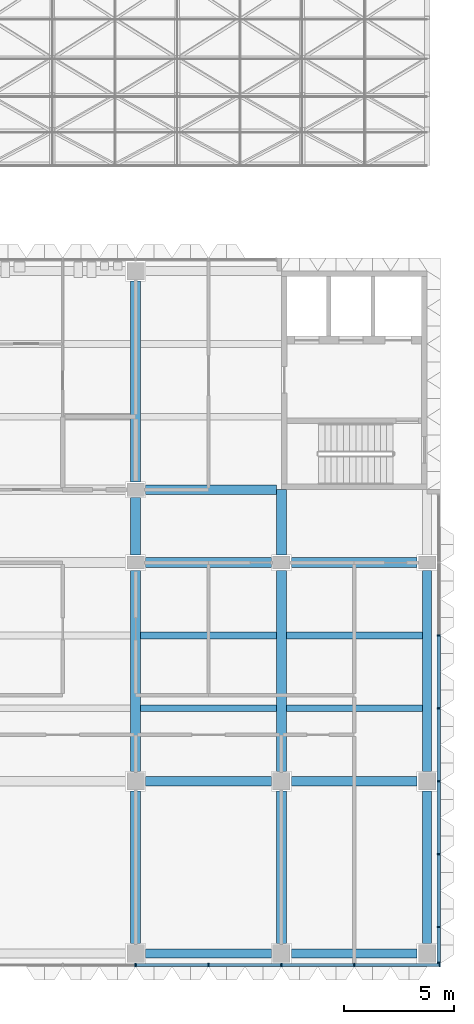
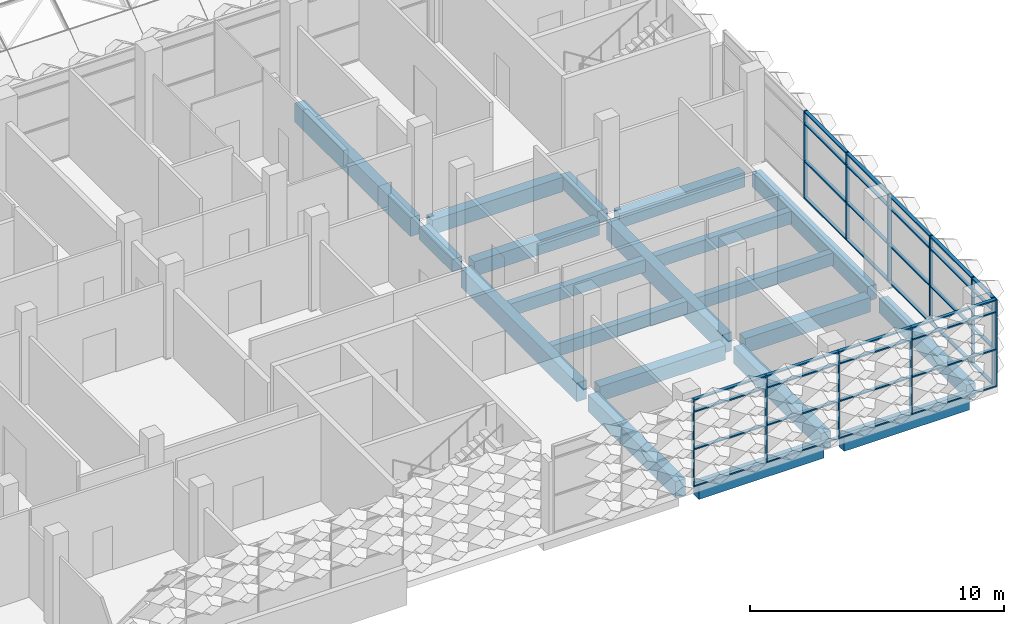
# One storey, part 14 of 85: 47 members, 20 beams, 2 elements without a shape of their own.
"""IFC4 building model written with IfcOpenShell, lengths in metres."""

import ifcopenshell
import ifcopenshell.guid

model = None  # the IFC model being written
_history = None  # IfcOwnerHistory: only IFC2X3 demands one
_inside = {}  # id of a spatial element -> (the spatial element, [elements in it])
_under = {}  # id of a project, library or spatial element -> (it, [spatial elements below it])
_declared = {}  # id of a project -> (the project, [libraries it declares])
_typed = {}  # id of a type object -> (the type object, [elements of that type])
_made_of = {}  # id of a material, layer set ... -> (it, [elements and type objects made of it])


def new_model(schema):
    """Start an empty IFC model of exactly this schema.

    Asked for "IFC4X3", IfcOpenShell would pick the latest addendum, in which some entities
    have other attributes; the version numbers below select the first issue.
    IFC2X3 requires an IfcOwnerHistory on every rooted entity: one is made here for all.
    """
    global model, _history
    if schema == "IFC4X3":
        model = ifcopenshell.file(schema_version=(4, 3, 0, 0))
    else:
        model = ifcopenshell.file(schema=schema)
    _inside.clear()
    _under.clear()
    _declared.clear()
    _typed.clear()
    _made_of.clear()
    _history = None
    if model.schema == "IFC2X3":
        org = make("IfcOrganization", Name="unknown")
        user = make(
            "IfcPersonAndOrganization",
            ThePerson=make("IfcPerson", FamilyName="unknown"),
            TheOrganization=org,
        )
        app = make(
            "IfcApplication",
            ApplicationDeveloper=org,
            Version="unknown",
            ApplicationFullName="unknown",
            ApplicationIdentifier="unknown",
        )
        _history = make(
            "IfcOwnerHistory",
            OwningUser=user,
            OwningApplication=app,
            ChangeAction="ADDED",
            CreationDate=0,
        )
    return model


def make(cls, **values):
    """One entity of the class cls with the attributes given. An attribute that is None is left unset."""
    return model.create_entity(
        cls, **{name: value for name, value in values.items() if value is not None}
    )


def rooted(cls, **values):
    """An entity with a GlobalId (a new one), such as an element, a storey or a relation."""
    return make(cls, GlobalId=ifcopenshell.guid.new(), OwnerHistory=_history, **values)


def si_unit(unit_type, name, prefix=None):
    """IfcSIUnit, for example si_unit("LENGTHUNIT", "METRE", prefix="MILLI")."""
    return make("IfcSIUnit", UnitType=unit_type, Prefix=prefix, Name=name)


def assignment(units):
    """IfcUnitAssignment: the units of a project."""
    return None if units is None else make("IfcUnitAssignment", Units=units)


def point(xyz):
    """IfcCartesianPoint."""
    return None if xyz is None else make("IfcCartesianPoint", Coordinates=xyz)


def direction(xyz):
    """IfcDirection."""
    return None if xyz is None else make("IfcDirection", DirectionRatios=xyz)


def frame(location, z_axis=None, x_axis=None):
    """IfcAxis2Placement3D, a coordinate frame: its origin and axes. An axis left out is left unset."""
    return make(
        "IfcAxis2Placement3D",
        Location=point(location),
        Axis=direction(z_axis),
        RefDirection=direction(x_axis),
    )


def frame_2d(location, x_axis=None):
    """IfcAxis2Placement2D, a coordinate frame in the plane: its origin and x axis."""
    return make(
        "IfcAxis2Placement2D", Location=point(location), RefDirection=direction(x_axis)
    )


def origin():
    """The frame at (0, 0, 0) with its axes left unset."""
    return frame((0.0, 0.0, 0.0))


def origin_2d():
    """The frame at (0, 0) in the plane with its x axis left unset."""
    return frame_2d((0.0, 0.0))


def place(relative_to, where):
    """IfcLocalPlacement: puts the frame where relative to a parent placement (None: the world)."""
    return make(
        "IfcLocalPlacement", PlacementRelTo=relative_to, RelativePlacement=where
    )


def context(
    kind, dimensions, precision=None, world=None, true_north=None, identifier=None
):
    """IfcGeometricRepresentationContext, for example the 3D "Model" context."""
    return make(
        "IfcGeometricRepresentationContext",
        ContextIdentifier=identifier,
        ContextType=kind,
        CoordinateSpaceDimension=dimensions,
        Precision=precision,
        WorldCoordinateSystem=world,
        TrueNorth=true_north,
    )


def subcontext(parent, identifier, kind, view, scale=None):
    """IfcGeometricRepresentationSubContext, for example "Body" below "Model"."""
    return make(
        "IfcGeometricRepresentationSubContext",
        ContextIdentifier=identifier,
        ContextType=kind,
        ParentContext=parent,
        TargetScale=scale,
        TargetView=view,
    )


def project(units=None, contexts=None):
    """IfcProject with its units and contexts."""
    return rooted(
        "IfcProject",
        Name="project",
        RepresentationContexts=contexts,
        UnitsInContext=assignment(units),
    )


def spatial(cls, under=None, at=None, **own):
    """A site, building, storey or space (cls), placed at a placement, below another one or the project."""
    s = rooted(cls, ObjectPlacement=at, **own)
    if under is not None:
        _under.setdefault(under.id(), (under, []))[1].append(s)
    return s


def profile(cls, at=None, kind="AREA", **sizes):
    """A parametric profile (cls). Its sizes go by their IFC names, for example OverallWidth=200.0."""
    return make(cls, ProfileType=kind, Position=at, **sizes)


def rectangle(**sizes):
    """IfcRectangleProfileDef."""
    return profile("IfcRectangleProfileDef", **sizes)


def extrude(swept, where, along, depth):
    """IfcExtrudedAreaSolid: the profile swept, set in the frame where, extruded along a direction by depth."""
    return make(
        "IfcExtrudedAreaSolid",
        SweptArea=swept,
        Position=where,
        ExtrudedDirection=direction(along),
        Depth=depth,
    )


def shape(context_of_items, identifier, shape_type, items):
    """IfcShapeRepresentation: the items that make up one representation, for example the "Body"."""
    return make(
        "IfcShapeRepresentation",
        ContextOfItems=context_of_items,
        RepresentationIdentifier=identifier,
        RepresentationType=shape_type,
        Items=items,
    )


def material(Name=None, Category=None):
    """IfcMaterial."""
    return make("IfcMaterial", Name=Name, Category=Category)


def material_profile(
    of_material, cross_section, Name=None, Category=None, Priority=None
):
    """IfcMaterialProfile: a cross section and its material."""
    return make(
        "IfcMaterialProfile",
        Name=Name,
        Material=of_material,
        Profile=cross_section,
        Priority=Priority,
        Category=Category,
    )


def profile_set(profiles, Name=None, composite=None):
    """IfcMaterialProfileSet."""
    return make(
        "IfcMaterialProfileSet",
        Name=Name,
        MaterialProfiles=profiles,
        CompositeProfile=composite,
    )


def made_of(thing, what):
    """Note that an element or type object is made of a material, layer set ...; save() writes the relation."""
    if what is not None:
        _made_of.setdefault(what.id(), (what, []))[1].append(thing)
    return thing


def type_object(cls, material=None, **own):
    """A type object (cls), such as IfcWallType, which elements share."""
    return made_of(rooted(cls, **own), material)


def element(
    cls,
    number,
    at=None,
    inside=None,
    cuts=None,
    type_object=None,
    material=None,
    context=None,
    identifier="Body",
    shape_type=None,
    held_by="IfcProductDefinitionShape",
    body=None,
    shapes=None,
    **own,
):
    """One element of the class cls, such as IfcWall. Its Tag is "e" and its number.

    at: its placement. inside: the storey or other place that contains it. cuts: it is an
    opening in that element (IfcRelVoidsElement). A single representation is given by context,
    identifier, shape_type and body (its items); several are given by shapes. held_by: the class
    of the entity that holds the representations. save() writes the other relations.
    """
    e = rooted(cls, Tag="e%d" % number, ObjectPlacement=at, **own)
    if body is not None:
        shapes = [shape(context, identifier, shape_type, body)]
    if shapes is not None:
        e.Representation = make(held_by, Representations=shapes)
    if inside is not None:
        _inside.setdefault(inside.id(), (inside, []))[1].append(e)
    if cuts is not None:
        rooted(
            "IfcRelVoidsElement", RelatingBuildingElement=cuts, RelatedOpeningElement=e
        )
    if type_object is not None:
        _typed.setdefault(type_object.id(), (type_object, []))[1].append(e)
    return made_of(e, material)


def aggregate(whole, parts):
    """IfcRelAggregates: a whole, such as a stair, and the parts it consists of."""
    return rooted("IfcRelAggregates", RelatingObject=whole, RelatedObjects=parts)


def save(model, path):
    """Write the relations noted so far, then the file.

    IfcRelAggregates (storeys below a building ...), IfcRelContainedInSpatialStructure (elements
    in a storey), IfcRelDefinesByType, IfcRelAssociatesMaterial and IfcRelDeclares: one each for
    every whole, place, type object, material and project.
    """
    for whole, parts in _under.values():
        aggregate(whole, parts)
    for where, things in _inside.values():
        rooted(
            "IfcRelContainedInSpatialStructure",
            RelatedElements=things,
            RelatingStructure=where,
        )
    for kind, things in _typed.values():
        rooted("IfcRelDefinesByType", RelatedObjects=things, RelatingType=kind)
    for what, things in _made_of.values():
        rooted("IfcRelAssociatesMaterial", RelatedObjects=things, RelatingMaterial=what)
    for by, libraries in _declared.values():
        rooted("IfcRelDeclares", RelatingContext=by, RelatedDefinitions=libraries)
    model.write(path)


model = new_model("IFC4")

# Units and contexts
model_context = context("Model", 3, precision=1e-05, world=origin(), true_north=direction((0.0, 1.0)))
body_context = subcontext(model_context, "Body", "Model", "MODEL_VIEW")
ifc_project = project(units=[si_unit("LENGTHUNIT", "METRE"), si_unit("AREAUNIT", "SQUARE_METRE"), si_unit("VOLUMEUNIT", "CUBIC_METRE"), si_unit("PLANEANGLEUNIT", "RADIAN"), si_unit("MASSUNIT", "GRAM", prefix="KILO")], contexts=[model_context])

# Site, building, storey
site_placement = place(None, origin())
site = spatial("IfcSite", under=ifc_project, at=site_placement, CompositionType="ELEMENT")
building_placement = place(site_placement, origin())
building = spatial("IfcBuilding", under=site, at=building_placement, Name="Lantern Court Research Institute", CompositionType="ELEMENT")
storey_placement = place(building_placement, frame((0.0, 0.0, 18.89990234375)))
storey = spatial("IfcBuildingStorey", under=building, at=storey_placement, Name="L04", CompositionType="ELEMENT", Elevation=18.89990234375)

# Curtain wall, members
ifc_material_1 = material(Name="Aluminium alloy 6063-T6", Category="aluminium")
curtain_wall_type_1 = type_object("IfcCurtainWallType", Name="Curtain wall 21250 x 4200 x 150 aluminium frame", PredefinedType="NOTDEFINED", material=ifc_material_1)
curtain_wall_1_placement = place(storey_placement, origin())
curtain_wall_1 = element("IfcCurtainWall", 1, at=curtain_wall_1_placement, inside=storey, type_object=curtain_wall_type_1, Name="Curtain wall CW065", PredefinedType="NOTDEFINED")
ifc_material_2 = material(Name="Aluminium alloy 6063-T6", Category="aluminium")
ifc_material_profile_1 = material_profile(ifc_material_2, rectangle(XDim=0.14990234375, YDim=0.06005859375, at=origin_2d()), Name="Mullion 150 x 60")
ifc_profile_set_1 = profile_set([ifc_material_profile_1], Name="Aluminium alloy 6063-T6")
member_type_1 = type_object("IfcMemberType", Name="Mullion 150 x 60 aluminium", PredefinedType="MULLION", material=ifc_profile_set_1)
member_1_placement = place(storey_placement, frame((79.72509765625, -8.219970703125, 0.0), z_axis=(0.0, 0.0, 1.0), x_axis=(1.0, 0.0, 0.0)))
member_1 = element("IfcMember", 2, at=member_1_placement, type_object=member_type_1, Name="CW065 mullion 1", PredefinedType="MULLION", context=body_context, shape_type="SweptSolid", body=[
    extrude(rectangle(XDim=0.14990234375, YDim=0.06005859375, at=origin_2d()), origin(), (0.0, 0.0, 1.0), 4.2001953125),
])
member_2_placement = place(storey_placement, frame((79.72509765625, -6.60009765625, 0.0), z_axis=(0.0, 0.0, 1.0), x_axis=(1.0, 0.0, 0.0)))
member_2 = element("IfcMember", 3, at=member_2_placement, type_object=member_type_1, Name="CW065 mullion 2", PredefinedType="MULLION", context=body_context, shape_type="SweptSolid", body=[
    extrude(rectangle(XDim=0.14990234375, YDim=0.06005859375, at=origin_2d()), origin(), (0.0, 0.0, 1.0), 4.2001953125),
])
member_3_placement = place(storey_placement, frame((79.72509765625, -3.300048828125, 0.0), z_axis=(0.0, 0.0, 1.0), x_axis=(1.0, 0.0, 0.0)))
member_3 = element("IfcMember", 4, at=member_3_placement, type_object=member_type_1, Name="CW065 mullion 3", PredefinedType="MULLION", context=body_context, shape_type="SweptSolid", body=[
    extrude(rectangle(XDim=0.14990234375, YDim=0.06005859375, at=origin_2d()), origin(), (0.0, 0.0, 1.0), 4.2001953125),
])
member_4_placement = place(storey_placement, frame((79.72509765625, 0.0, 0.0), z_axis=(0.0, 0.0, 1.0), x_axis=(1.0, 0.0, 0.0)))
member_4 = element("IfcMember", 5, at=member_4_placement, type_object=member_type_1, Name="CW065 mullion 4", PredefinedType="MULLION", context=body_context, shape_type="SweptSolid", body=[
    extrude(rectangle(XDim=0.14990234375, YDim=0.06005859375, at=origin_2d()), origin(), (0.0, 0.0, 1.0), 4.2001953125),
])
member_5_placement = place(storey_placement, frame((79.72509765625, 3.300048828125, 0.0), z_axis=(0.0, 0.0, 1.0), x_axis=(1.0, 0.0, 0.0)))
member_5 = element("IfcMember", 6, at=member_5_placement, type_object=member_type_1, Name="CW065 mullion 5", PredefinedType="MULLION", context=body_context, shape_type="SweptSolid", body=[
    extrude(rectangle(XDim=0.14990234375, YDim=0.06005859375, at=origin_2d()), origin(), (0.0, 0.0, 1.0), 4.2001953125),
])
member_6_placement = place(storey_placement, frame((79.72509765625, 6.60009765625, 0.0), z_axis=(0.0, 0.0, 1.0), x_axis=(1.0, 0.0, 0.0)))
member_6 = element("IfcMember", 7, at=member_6_placement, type_object=member_type_1, Name="CW065 mullion 6", PredefinedType="MULLION", context=body_context, shape_type="SweptSolid", body=[
    extrude(rectangle(XDim=0.14990234375, YDim=0.06005859375, at=origin_2d()), origin(), (0.0, 0.0, 1.0), 4.2001953125),
])

ifc_material_3 = material(Name="Aluminium alloy 6063-T6", Category="aluminium")
curtain_wall_type_2 = type_object("IfcCurtainWallType", Name="Curtain wall 20200 x 4200 x 150 aluminium frame", PredefinedType="NOTDEFINED", material=ifc_material_3)
curtain_wall_2_placement = place(storey_placement, origin())
curtain_wall_2 = element("IfcCurtainWall", 8, at=curtain_wall_2_placement, inside=storey, type_object=curtain_wall_type_2, Name="Curtain wall CW067", PredefinedType="NOTDEFINED")
member_7_placement = place(storey_placement, frame((66.0, -8.324951171875, 0.0), z_axis=(0.0, 0.0, 1.0), x_axis=(0.0, -1.0, 0.0)))
member_7 = element("IfcMember", 9, at=member_7_placement, type_object=member_type_1, Name="CW067 mullion 3", PredefinedType="MULLION", context=body_context, shape_type="SweptSolid", body=[
    extrude(rectangle(XDim=0.14990234375, YDim=0.06005859375, at=origin_2d()), origin(), (0.0, 0.0, 1.0), 4.2001953125),
])
member_8_placement = place(storey_placement, frame((69.300048828125, -8.324951171875, 0.0), z_axis=(0.0, 0.0, 1.0), x_axis=(0.0, -1.0, 0.0)))
member_8 = element("IfcMember", 10, at=member_8_placement, type_object=member_type_1, Name="CW067 mullion 4", PredefinedType="MULLION", context=body_context, shape_type="SweptSolid", body=[
    extrude(rectangle(XDim=0.14990234375, YDim=0.06005859375, at=origin_2d()), origin(), (0.0, 0.0, 1.0), 4.2001953125),
])
member_9_placement = place(storey_placement, frame((72.60009765625, -8.324951171875, 0.0), z_axis=(0.0, 0.0, 1.0), x_axis=(0.0, -1.0, 0.0)))
member_9 = element("IfcMember", 11, at=member_9_placement, type_object=member_type_1, Name="CW067 mullion 5", PredefinedType="MULLION", context=body_context, shape_type="SweptSolid", body=[
    extrude(rectangle(XDim=0.14990234375, YDim=0.06005859375, at=origin_2d()), origin(), (0.0, 0.0, 1.0), 4.2001953125),
])
member_10_placement = place(storey_placement, frame((75.89990234375, -8.324951171875, 0.0), z_axis=(0.0, 0.0, 1.0), x_axis=(0.0, -1.0, 0.0)))
member_10 = element("IfcMember", 12, at=member_10_placement, type_object=member_type_1, Name="CW067 mullion 6", PredefinedType="MULLION", context=body_context, shape_type="SweptSolid", body=[
    extrude(rectangle(XDim=0.14990234375, YDim=0.06005859375, at=origin_2d()), origin(), (0.0, 0.0, 1.0), 4.2001953125),
])
member_11_placement = place(storey_placement, frame((79.77001953125, -8.324951171875, 0.0), z_axis=(0.0, 0.0, 1.0), x_axis=(0.0, -1.0, 0.0)))
member_11 = element("IfcMember", 13, at=member_11_placement, type_object=member_type_1, Name="CW067 mullion 7", PredefinedType="MULLION", context=body_context, shape_type="SweptSolid", body=[
    extrude(rectangle(XDim=0.14990234375, YDim=0.06005859375, at=origin_2d()), origin(), (0.0, 0.0, 1.0), 4.2001953125),
])

# Beams
ifc_material_4 = material(Name="Concrete C40/50", Category="concrete")
ifc_material_profile_2 = material_profile(ifc_material_4, rectangle(XDim=0.449951171875, YDim=0.699951171875, at=origin_2d()), Name="RC beam 450 x 700")
ifc_profile_set_2 = profile_set([ifc_material_profile_2], Name="Concrete C40/50")
beam_type_1 = type_object("IfcBeamType", Name="RC beam 450 x 700", PredefinedType="BEAM", material=ifc_profile_set_2)
for number, where, z_axis, x_axis, name in (
    (14, (66.449951171875, 0.0, -0.64990234375), (1.0, 0.0, 0.0), (0.0, 1.0, 0.0), "Beam L04 grid A/11-12"),
    (15, (73.050048828125, 0.0, -0.64990234375), (1.0, 0.0, 0.0), (0.0, 1.0, 0.0), "Beam L04 grid A/12-13"),
    (16, (66.449951171875, 9.89990234375, -0.64990234375), (1.0, 0.0, 0.0), (0.0, 1.0, 0.0), "Beam L04 grid B/11-12"),
    (17, (73.050048828125, 9.89990234375, -0.64990234375), (1.0, 0.0, 0.0), (0.0, 1.0, 0.0), "Beam L04 grid B/12-13"),
):
    element("IfcBeam", number, at=place(storey_placement, frame(where, z_axis=z_axis, x_axis=x_axis)), inside=storey, type_object=beam_type_1, Name=name, PredefinedType="BEAM", context=body_context, shape_type="SweptSolid", body=[
        extrude(rectangle(XDim=0.449951171875, YDim=0.699951171875, at=origin_2d()), origin(), (0.0, 0.0, 1.0), 5.699951171875),
    ])
beam_1_placement = place(storey_placement, frame((66.449951171875, 13.199951171875, -0.64990234375), z_axis=(1.0, 0.0, 0.0), x_axis=(0.0, 1.0, 0.0)))
element("IfcBeam", 18, at=beam_1_placement, inside=storey, type_object=beam_type_1, Name="Beam L04 grid C/11-12", PredefinedType="BEAM", context=body_context, shape_type="SweptSolid", body=[
    extrude(rectangle(XDim=0.449951171875, YDim=0.699951171875, at=origin_2d()), origin(), (0.0, 0.0, 1.0), 5.925048828125),
])
ifc_material_5 = material(Name="Concrete C40/50", Category="concrete")
ifc_material_profile_3 = material_profile(ifc_material_5, rectangle(XDim=0.39990234375, YDim=0.699951171875, at=origin_2d()), Name="RC beam 400 x 700")
ifc_profile_set_3 = profile_set([ifc_material_profile_3], Name="Concrete C40/50")
beam_type_2 = type_object("IfcBeamType", Name="RC edge beam 400 x 700", PredefinedType="BEAM", material=ifc_profile_set_3)
beam_2_placement = place(storey_placement, frame((79.199951171875, -7.35009765625, -0.64990234375), z_axis=(0.0, 1.0, 0.0), x_axis=(-1.0, 0.0, 0.0)))
element("IfcBeam", 19, at=beam_2_placement, inside=storey, type_object=beam_type_2, Name="Edge beam L04 grid 13/Z-A", PredefinedType="BEAM", context=body_context, shape_type="SweptSolid", body=[
    extrude(rectangle(XDim=0.39990234375, YDim=0.699951171875, at=origin_2d()), origin(), (0.0, 0.0, 1.0), 6.900146484375),
])
beam_3_placement = place(storey_placement, frame((79.199951171875, 0.449951171875, -0.64990234375), z_axis=(0.0, 1.0, 0.0), x_axis=(-1.0, 0.0, 0.0)))
element("IfcBeam", 20, at=beam_3_placement, inside=storey, type_object=beam_type_2, Name="Edge beam L04 grid 13/A-B", PredefinedType="BEAM", context=body_context, shape_type="SweptSolid", body=[
    extrude(rectangle(XDim=0.39990234375, YDim=0.699951171875, at=origin_2d()), origin(), (0.0, 0.0, 1.0), 9.10009765625),
])
for number, where, z_axis, x_axis, name in (
    (21, (66.449951171875, -7.800048828125, -0.64990234375), (1.0, 0.0, 0.0), (0.0, 1.0, 0.0), "Edge beam L04 grid Z/11-12"),
    (22, (73.050048828125, -7.800048828125, -0.64990234375), (1.0, 0.0, 0.0), (0.0, 1.0, 0.0), "Edge beam L04 grid Z/12-13"),
):
    element("IfcBeam", number, at=place(storey_placement, frame(where, z_axis=z_axis, x_axis=x_axis)), inside=storey, type_object=beam_type_2, Name=name, PredefinedType="BEAM", context=body_context, shape_type="SweptSolid", body=[
        extrude(rectangle(XDim=0.39990234375, YDim=0.699951171875, at=origin_2d()), origin(), (0.0, 0.0, 1.0), 5.699951171875),
    ])
ifc_material_6 = material(Name="Concrete C40/50", Category="concrete")
ifc_material_profile_4 = material_profile(ifc_material_6, rectangle(XDim=0.449951171875, YDim=0.800048828125, at=origin_2d()), Name="RC beam 450 x 800")
ifc_profile_set_4 = profile_set([ifc_material_profile_4], Name="Concrete C40/50")
beam_type_3 = type_object("IfcBeamType", Name="RC girder 450 x 800", PredefinedType="BEAM", material=ifc_profile_set_4)
for number, where, z_axis, x_axis, name in (
    (23, (66.0, -7.35009765625, -0.699951171875), (0.0, 1.0, 0.0), (-1.0, 0.0, 0.0), "Girder L04 grid 11/Z-A"),
    (24, (72.60009765625, -7.35009765625, -0.699951171875), (0.0, 1.0, 0.0), (-1.0, 0.0, 0.0), "Girder L04 grid 12/Z-A"),
):
    element("IfcBeam", number, at=place(storey_placement, frame(where, z_axis=z_axis, x_axis=x_axis)), inside=storey, type_object=beam_type_3, Name=name, PredefinedType="BEAM", context=body_context, shape_type="SweptSolid", body=[
        extrude(rectangle(XDim=0.449951171875, YDim=0.800048828125, at=origin_2d()), origin(), (0.0, 0.0, 1.0), 6.900146484375),
    ])
ifc_material_7 = material(Name="Concrete C40/50", Category="concrete")
ifc_material_profile_5 = material_profile(ifc_material_7, rectangle(XDim=0.449951171875, YDim=0.89990234375, at=origin_2d()), Name="RC beam 450 x 900")
ifc_profile_set_5 = profile_set([ifc_material_profile_5], Name="Concrete C40/50")
beam_type_4 = type_object("IfcBeamType", Name="RC girder 450 x 900", PredefinedType="BEAM", material=ifc_profile_set_5)
beam_4_placement = place(storey_placement, frame((66.0, 0.449951171875, -0.75), z_axis=(0.0, 1.0, 0.0), x_axis=(-1.0, 0.0, 0.0)))
element("IfcBeam", 25, at=beam_4_placement, inside=storey, type_object=beam_type_4, Name="Girder L04 grid 11/A-B", PredefinedType="BEAM", context=body_context, shape_type="SweptSolid", body=[
    extrude(rectangle(XDim=0.449951171875, YDim=0.89990234375, at=origin_2d()), origin(), (0.0, 0.0, 1.0), 9.10009765625),
])
beam_5_placement = place(storey_placement, frame((66.0, 13.550048828125, -0.75), z_axis=(0.0, 1.0, 0.0), x_axis=(-1.0, 0.0, 0.0)))
element("IfcBeam", 26, at=beam_5_placement, inside=storey, type_object=beam_type_4, Name="Girder L04 grid 11/C-D", PredefinedType="BEAM", context=body_context, shape_type="SweptSolid", body=[
    extrude(rectangle(XDim=0.449951171875, YDim=0.89990234375, at=origin_2d()), origin(), (0.0, 0.0, 1.0), 9.099853515625),
])
beam_6_placement = place(storey_placement, frame((72.60009765625, 0.449951171875, -0.75), z_axis=(0.0, 1.0, 0.0), x_axis=(-1.0, 0.0, 0.0)))
element("IfcBeam", 27, at=beam_6_placement, inside=storey, type_object=beam_type_4, Name="Girder L04 grid 12/A-B", PredefinedType="BEAM", context=body_context, shape_type="SweptSolid", body=[
    extrude(rectangle(XDim=0.449951171875, YDim=0.89990234375, at=origin_2d()), origin(), (0.0, 0.0, 1.0), 9.10009765625),
])
ifc_material_8 = material(Name="Concrete C40/50", Category="concrete")
ifc_material_profile_6 = material_profile(ifc_material_8, rectangle(XDim=0.300048828125, YDim=0.60009765625, at=origin_2d()), Name="RC beam 300 x 600")
ifc_profile_set_6 = profile_set([ifc_material_profile_6], Name="Concrete C40/50")
beam_type_5 = type_object("IfcBeamType", Name="RC secondary beam 300 x 600", PredefinedType="BEAM", material=ifc_profile_set_6)
beam_7_placement = place(storey_placement, frame((66.22509765625, 3.300048828125, -0.599853515625), z_axis=(1.0, 0.0, 0.0), x_axis=(0.0, 1.0, 0.0)))
element("IfcBeam", 28, at=beam_7_placement, inside=storey, type_object=beam_type_5, Name="Secondary beam L04 grids 11-12 / A-B, line 1", PredefinedType="BEAM", context=body_context, shape_type="SweptSolid", body=[
    extrude(rectangle(XDim=0.300048828125, YDim=0.60009765625, at=origin_2d()), origin(), (0.0, 0.0, 1.0), 6.14990234375),
])
beam_8_placement = place(storey_placement, frame((72.824951171875, 3.300048828125, -0.599853515625), z_axis=(1.0, 0.0, 0.0), x_axis=(0.0, 1.0, 0.0)))
element("IfcBeam", 29, at=beam_8_placement, inside=storey, type_object=beam_type_5, Name="Secondary beam L04 grids 12-13 / A-B, line 1", PredefinedType="BEAM", context=body_context, shape_type="SweptSolid", body=[
    extrude(rectangle(XDim=0.300048828125, YDim=0.60009765625, at=origin_2d()), origin(), (0.0, 0.0, 1.0), 6.175048828125),
])
beam_9_placement = place(storey_placement, frame((66.22509765625, 6.60009765625, -0.599853515625), z_axis=(1.0, 0.0, 0.0), x_axis=(0.0, 1.0, 0.0)))
element("IfcBeam", 30, at=beam_9_placement, inside=storey, type_object=beam_type_5, Name="Secondary beam L04 grids 11-12 / A-B, line 2", PredefinedType="BEAM", context=body_context, shape_type="SweptSolid", body=[
    extrude(rectangle(XDim=0.300048828125, YDim=0.60009765625, at=origin_2d()), origin(), (0.0, 0.0, 1.0), 6.14990234375),
])
beam_10_placement = place(storey_placement, frame((72.824951171875, 6.60009765625, -0.599853515625), z_axis=(1.0, 0.0, 0.0), x_axis=(0.0, 1.0, 0.0)))
element("IfcBeam", 31, at=beam_10_placement, inside=storey, type_object=beam_type_5, Name="Secondary beam L04 grids 12-13 / A-B, line 2", PredefinedType="BEAM", context=body_context, shape_type="SweptSolid", body=[
    extrude(rectangle(XDim=0.300048828125, YDim=0.60009765625, at=origin_2d()), origin(), (0.0, 0.0, 1.0), 6.175048828125),
])
ifc_material_9 = material(Name="Concrete C40/50", Category="concrete")
ifc_material_profile_7 = material_profile(ifc_material_9, rectangle(XDim=0.449951171875, YDim=0.60009765625, at=origin_2d()), Name="RC beam 450 x 600")
ifc_profile_set_7 = profile_set([ifc_material_profile_7], Name="Concrete C40/50")
beam_type_6 = type_object("IfcBeamType", Name="RC spine beam 450 x 600", PredefinedType="BEAM", material=ifc_profile_set_7)
beam_11_placement = place(storey_placement, frame((66.0, 10.25, -0.599853515625), z_axis=(0.0, 1.0, 0.0), x_axis=(-1.0, 0.0, 0.0)))
element("IfcBeam", 32, at=beam_11_placement, inside=storey, type_object=beam_type_6, Name="Beam L04 grid 11/B-C", PredefinedType="BEAM", context=body_context, shape_type="SweptSolid", body=[
    extrude(rectangle(XDim=0.449951171875, YDim=0.60009765625, at=origin_2d()), origin(), (0.0, 0.0, 1.0), 2.60009765625),
])
beam_12_placement = place(storey_placement, frame((72.60009765625, 10.25, -0.599853515625), z_axis=(0.0, 1.0, 0.0), x_axis=(-1.0, 0.0, 0.0)))
element("IfcBeam", 33, at=beam_12_placement, inside=storey, type_object=beam_type_6, Name="Beam L04 grid 12/B-C", PredefinedType="BEAM", context=body_context, shape_type="SweptSolid", body=[
    extrude(rectangle(XDim=0.449951171875, YDim=0.60009765625, at=origin_2d()), origin(), (0.0, 0.0, 1.0), 2.949951171875),
])

# Member
ifc_material_10 = material(Name="Aluminium alloy 6063-T6", Category="aluminium")
ifc_material_profile_8 = material_profile(ifc_material_10, rectangle(XDim=0.14990234375, YDim=0.06005859375, at=origin_2d()), Name="Transom 150 x 60")
ifc_profile_set_8 = profile_set([ifc_material_profile_8], Name="Aluminium alloy 6063-T6")
member_type_2 = type_object("IfcMemberType", Name="Transom 150 x 60 aluminium", PredefinedType="USERDEFINED", material=ifc_profile_set_8)
member_12_placement = place(storey_placement, frame((79.72509765625, -6.6298828125, 0.030029296875), z_axis=(0.0, -1.0, 0.0), x_axis=(1.0, 0.0, 0.0)))
member_12 = element("IfcMember", 34, at=member_12_placement, type_object=member_type_2, Name="CW065 transom 1.1", ObjectType="TRANSOM", PredefinedType="USERDEFINED", context=body_context, shape_type="SweptSolid", body=[
    extrude(rectangle(XDim=0.14990234375, YDim=0.06005859375, at=origin_2d()), origin(), (0.0, 0.0, 1.0), 1.56005859375),
])

member_13_placement = place(storey_placement, frame((79.72509765625, -6.6298828125, 1.800048828125), z_axis=(0.0, -1.0, 0.0), x_axis=(1.0, 0.0, 0.0)))
member_13 = element("IfcMember", 35, at=member_13_placement, type_object=member_type_2, Name="CW065 transom 1.2", ObjectType="TRANSOM", PredefinedType="USERDEFINED", context=body_context, shape_type="SweptSolid", body=[
    extrude(rectangle(XDim=0.14990234375, YDim=0.06005859375, at=origin_2d()), origin(), (0.0, 0.0, 1.0), 1.56005859375),
])

member_14_placement = place(storey_placement, frame((79.72509765625, -6.6298828125, 3.60009765625), z_axis=(0.0, -1.0, 0.0), x_axis=(1.0, 0.0, 0.0)))
member_14 = element("IfcMember", 36, at=member_14_placement, type_object=member_type_2, Name="CW065 transom 1.3", ObjectType="TRANSOM", PredefinedType="USERDEFINED", context=body_context, shape_type="SweptSolid", body=[
    extrude(rectangle(XDim=0.14990234375, YDim=0.06005859375, at=origin_2d()), origin(), (0.0, 0.0, 1.0), 1.56005859375),
])

member_15_placement = place(storey_placement, frame((79.72509765625, -6.6298828125, 4.170166015625), z_axis=(0.0, -1.0, 0.0), x_axis=(1.0, 0.0, 0.0)))
member_15 = element("IfcMember", 37, at=member_15_placement, type_object=member_type_2, Name="CW065 transom 1.4", ObjectType="TRANSOM", PredefinedType="USERDEFINED", context=body_context, shape_type="SweptSolid", body=[
    extrude(rectangle(XDim=0.14990234375, YDim=0.06005859375, at=origin_2d()), origin(), (0.0, 0.0, 1.0), 1.56005859375),
])

member_16_placement = place(storey_placement, frame((79.72509765625, -3.330078125, 0.030029296875), z_axis=(0.0, -1.0, 0.0), x_axis=(1.0, 0.0, 0.0)))
member_16 = element("IfcMember", 38, at=member_16_placement, type_object=member_type_2, Name="CW065 transom 2.1", ObjectType="TRANSOM", PredefinedType="USERDEFINED", context=body_context, shape_type="SweptSolid", body=[
    extrude(rectangle(XDim=0.14990234375, YDim=0.06005859375, at=origin_2d()), origin(), (0.0, 0.0, 1.0), 3.239990234375),
])

member_17_placement = place(storey_placement, frame((79.72509765625, -3.330078125, 1.800048828125), z_axis=(0.0, -1.0, 0.0), x_axis=(1.0, 0.0, 0.0)))
member_17 = element("IfcMember", 39, at=member_17_placement, type_object=member_type_2, Name="CW065 transom 2.2", ObjectType="TRANSOM", PredefinedType="USERDEFINED", context=body_context, shape_type="SweptSolid", body=[
    extrude(rectangle(XDim=0.14990234375, YDim=0.06005859375, at=origin_2d()), origin(), (0.0, 0.0, 1.0), 3.239990234375),
])

member_18_placement = place(storey_placement, frame((79.72509765625, -3.330078125, 3.60009765625), z_axis=(0.0, -1.0, 0.0), x_axis=(1.0, 0.0, 0.0)))
member_18 = element("IfcMember", 40, at=member_18_placement, type_object=member_type_2, Name="CW065 transom 2.3", ObjectType="TRANSOM", PredefinedType="USERDEFINED", context=body_context, shape_type="SweptSolid", body=[
    extrude(rectangle(XDim=0.14990234375, YDim=0.06005859375, at=origin_2d()), origin(), (0.0, 0.0, 1.0), 3.239990234375),
])

member_19_placement = place(storey_placement, frame((79.72509765625, -3.330078125, 4.170166015625), z_axis=(0.0, -1.0, 0.0), x_axis=(1.0, 0.0, 0.0)))
member_19 = element("IfcMember", 41, at=member_19_placement, type_object=member_type_2, Name="CW065 transom 2.4", ObjectType="TRANSOM", PredefinedType="USERDEFINED", context=body_context, shape_type="SweptSolid", body=[
    extrude(rectangle(XDim=0.14990234375, YDim=0.06005859375, at=origin_2d()), origin(), (0.0, 0.0, 1.0), 3.239990234375),
])

member_20_placement = place(storey_placement, frame((79.72509765625, -0.030029296875, 0.030029296875), z_axis=(0.0, -1.0, 0.0), x_axis=(1.0, 0.0, 0.0)))
member_20 = element("IfcMember", 42, at=member_20_placement, type_object=member_type_2, Name="CW065 transom 3.1", ObjectType="TRANSOM", PredefinedType="USERDEFINED", context=body_context, shape_type="SweptSolid", body=[
    extrude(rectangle(XDim=0.14990234375, YDim=0.06005859375, at=origin_2d()), origin(), (0.0, 0.0, 1.0), 3.239990234375),
])

member_21_placement = place(storey_placement, frame((79.72509765625, -0.030029296875, 1.800048828125), z_axis=(0.0, -1.0, 0.0), x_axis=(1.0, 0.0, 0.0)))
member_21 = element("IfcMember", 43, at=member_21_placement, type_object=member_type_2, Name="CW065 transom 3.2", ObjectType="TRANSOM", PredefinedType="USERDEFINED", context=body_context, shape_type="SweptSolid", body=[
    extrude(rectangle(XDim=0.14990234375, YDim=0.06005859375, at=origin_2d()), origin(), (0.0, 0.0, 1.0), 3.239990234375),
])

member_22_placement = place(storey_placement, frame((79.72509765625, -0.030029296875, 3.60009765625), z_axis=(0.0, -1.0, 0.0), x_axis=(1.0, 0.0, 0.0)))
member_22 = element("IfcMember", 44, at=member_22_placement, type_object=member_type_2, Name="CW065 transom 3.3", ObjectType="TRANSOM", PredefinedType="USERDEFINED", context=body_context, shape_type="SweptSolid", body=[
    extrude(rectangle(XDim=0.14990234375, YDim=0.06005859375, at=origin_2d()), origin(), (0.0, 0.0, 1.0), 3.239990234375),
])

member_23_placement = place(storey_placement, frame((79.72509765625, -0.030029296875, 4.170166015625), z_axis=(0.0, -1.0, 0.0), x_axis=(1.0, 0.0, 0.0)))
member_23 = element("IfcMember", 45, at=member_23_placement, type_object=member_type_2, Name="CW065 transom 3.4", ObjectType="TRANSOM", PredefinedType="USERDEFINED", context=body_context, shape_type="SweptSolid", body=[
    extrude(rectangle(XDim=0.14990234375, YDim=0.06005859375, at=origin_2d()), origin(), (0.0, 0.0, 1.0), 3.239990234375),
])

member_24_placement = place(storey_placement, frame((79.72509765625, 3.27001953125, 0.030029296875), z_axis=(0.0, -1.0, 0.0), x_axis=(1.0, 0.0, 0.0)))
member_24 = element("IfcMember", 46, at=member_24_placement, type_object=member_type_2, Name="CW065 transom 4.1", ObjectType="TRANSOM", PredefinedType="USERDEFINED", context=body_context, shape_type="SweptSolid", body=[
    extrude(rectangle(XDim=0.14990234375, YDim=0.06005859375, at=origin_2d()), origin(), (0.0, 0.0, 1.0), 3.239990234375),
])

member_25_placement = place(storey_placement, frame((79.72509765625, 3.27001953125, 1.800048828125), z_axis=(0.0, -1.0, 0.0), x_axis=(1.0, 0.0, 0.0)))
member_25 = element("IfcMember", 47, at=member_25_placement, type_object=member_type_2, Name="CW065 transom 4.2", ObjectType="TRANSOM", PredefinedType="USERDEFINED", context=body_context, shape_type="SweptSolid", body=[
    extrude(rectangle(XDim=0.14990234375, YDim=0.06005859375, at=origin_2d()), origin(), (0.0, 0.0, 1.0), 3.239990234375),
])

member_26_placement = place(storey_placement, frame((79.72509765625, 3.27001953125, 3.60009765625), z_axis=(0.0, -1.0, 0.0), x_axis=(1.0, 0.0, 0.0)))
member_26 = element("IfcMember", 48, at=member_26_placement, type_object=member_type_2, Name="CW065 transom 4.3", ObjectType="TRANSOM", PredefinedType="USERDEFINED", context=body_context, shape_type="SweptSolid", body=[
    extrude(rectangle(XDim=0.14990234375, YDim=0.06005859375, at=origin_2d()), origin(), (0.0, 0.0, 1.0), 3.239990234375),
])

member_27_placement = place(storey_placement, frame((79.72509765625, 3.27001953125, 4.170166015625), z_axis=(0.0, -1.0, 0.0), x_axis=(1.0, 0.0, 0.0)))
member_27 = element("IfcMember", 49, at=member_27_placement, type_object=member_type_2, Name="CW065 transom 4.4", ObjectType="TRANSOM", PredefinedType="USERDEFINED", context=body_context, shape_type="SweptSolid", body=[
    extrude(rectangle(XDim=0.14990234375, YDim=0.06005859375, at=origin_2d()), origin(), (0.0, 0.0, 1.0), 3.239990234375),
])

member_28_placement = place(storey_placement, frame((79.72509765625, 6.570068359375, 0.030029296875), z_axis=(0.0, -1.0, 0.0), x_axis=(1.0, 0.0, 0.0)))
member_28 = element("IfcMember", 50, at=member_28_placement, type_object=member_type_2, Name="CW065 transom 5.1", ObjectType="TRANSOM", PredefinedType="USERDEFINED", context=body_context, shape_type="SweptSolid", body=[
    extrude(rectangle(XDim=0.14990234375, YDim=0.06005859375, at=origin_2d()), origin(), (0.0, 0.0, 1.0), 3.239990234375),
])

member_29_placement = place(storey_placement, frame((79.72509765625, 6.570068359375, 1.800048828125), z_axis=(0.0, -1.0, 0.0), x_axis=(1.0, 0.0, 0.0)))
member_29 = element("IfcMember", 51, at=member_29_placement, type_object=member_type_2, Name="CW065 transom 5.2", ObjectType="TRANSOM", PredefinedType="USERDEFINED", context=body_context, shape_type="SweptSolid", body=[
    extrude(rectangle(XDim=0.14990234375, YDim=0.06005859375, at=origin_2d()), origin(), (0.0, 0.0, 1.0), 3.239990234375),
])

member_30_placement = place(storey_placement, frame((79.72509765625, 6.570068359375, 3.60009765625), z_axis=(0.0, -1.0, 0.0), x_axis=(1.0, 0.0, 0.0)))
member_30 = element("IfcMember", 52, at=member_30_placement, type_object=member_type_2, Name="CW065 transom 5.3", ObjectType="TRANSOM", PredefinedType="USERDEFINED", context=body_context, shape_type="SweptSolid", body=[
    extrude(rectangle(XDim=0.14990234375, YDim=0.06005859375, at=origin_2d()), origin(), (0.0, 0.0, 1.0), 3.239990234375),
])

member_31_placement = place(storey_placement, frame((79.72509765625, 6.570068359375, 4.170166015625), z_axis=(0.0, -1.0, 0.0), x_axis=(1.0, 0.0, 0.0)))
member_31 = element("IfcMember", 53, at=member_31_placement, type_object=member_type_2, Name="CW065 transom 5.4", ObjectType="TRANSOM", PredefinedType="USERDEFINED", context=body_context, shape_type="SweptSolid", body=[
    extrude(rectangle(XDim=0.14990234375, YDim=0.06005859375, at=origin_2d()), origin(), (0.0, 0.0, 1.0), 3.239990234375),
])

aggregate(curtain_wall_1, [member_1, member_2, member_3, member_4, member_5, member_6, member_12, member_13, member_14, member_15, member_16, member_17, member_18, member_19, member_20, member_21, member_22, member_23, member_24, member_25, member_26, member_27, member_28, member_29, member_30, member_31])

member_32_placement = place(storey_placement, frame((69.27001953125, -8.324951171875, 0.030029296875), z_axis=(-1.0, 0.0, 0.0), x_axis=(0.0, -1.0, 0.0)))
member_32 = element("IfcMember", 54, at=member_32_placement, type_object=member_type_2, Name="CW067 transom 3.1", ObjectType="TRANSOM", PredefinedType="USERDEFINED", context=body_context, shape_type="SweptSolid", body=[
    extrude(rectangle(XDim=0.14990234375, YDim=0.06005859375, at=origin_2d()), origin(), (0.0, 0.0, 1.0), 3.239990234375),
])

member_33_placement = place(storey_placement, frame((69.27001953125, -8.324951171875, 1.800048828125), z_axis=(-1.0, 0.0, 0.0), x_axis=(0.0, -1.0, 0.0)))
member_33 = element("IfcMember", 55, at=member_33_placement, type_object=member_type_2, Name="CW067 transom 3.2", ObjectType="TRANSOM", PredefinedType="USERDEFINED", context=body_context, shape_type="SweptSolid", body=[
    extrude(rectangle(XDim=0.14990234375, YDim=0.06005859375, at=origin_2d()), origin(), (0.0, 0.0, 1.0), 3.239990234375),
])

member_34_placement = place(storey_placement, frame((69.27001953125, -8.324951171875, 3.60009765625), z_axis=(-1.0, 0.0, 0.0), x_axis=(0.0, -1.0, 0.0)))
member_34 = element("IfcMember", 56, at=member_34_placement, type_object=member_type_2, Name="CW067 transom 3.3", ObjectType="TRANSOM", PredefinedType="USERDEFINED", context=body_context, shape_type="SweptSolid", body=[
    extrude(rectangle(XDim=0.14990234375, YDim=0.06005859375, at=origin_2d()), origin(), (0.0, 0.0, 1.0), 3.239990234375),
])

member_35_placement = place(storey_placement, frame((69.27001953125, -8.324951171875, 4.170166015625), z_axis=(-1.0, 0.0, 0.0), x_axis=(0.0, -1.0, 0.0)))
member_35 = element("IfcMember", 57, at=member_35_placement, type_object=member_type_2, Name="CW067 transom 3.4", ObjectType="TRANSOM", PredefinedType="USERDEFINED", context=body_context, shape_type="SweptSolid", body=[
    extrude(rectangle(XDim=0.14990234375, YDim=0.06005859375, at=origin_2d()), origin(), (0.0, 0.0, 1.0), 3.239990234375),
])

member_36_placement = place(storey_placement, frame((72.570068359375, -8.324951171875, 0.030029296875), z_axis=(-1.0, 0.0, 0.0), x_axis=(0.0, -1.0, 0.0)))
member_36 = element("IfcMember", 58, at=member_36_placement, type_object=member_type_2, Name="CW067 transom 4.1", ObjectType="TRANSOM", PredefinedType="USERDEFINED", context=body_context, shape_type="SweptSolid", body=[
    extrude(rectangle(XDim=0.14990234375, YDim=0.06005859375, at=origin_2d()), origin(), (0.0, 0.0, 1.0), 3.239990234375),
])

member_37_placement = place(storey_placement, frame((72.570068359375, -8.324951171875, 1.800048828125), z_axis=(-1.0, 0.0, 0.0), x_axis=(0.0, -1.0, 0.0)))
member_37 = element("IfcMember", 59, at=member_37_placement, type_object=member_type_2, Name="CW067 transom 4.2", ObjectType="TRANSOM", PredefinedType="USERDEFINED", context=body_context, shape_type="SweptSolid", body=[
    extrude(rectangle(XDim=0.14990234375, YDim=0.06005859375, at=origin_2d()), origin(), (0.0, 0.0, 1.0), 3.239990234375),
])

member_38_placement = place(storey_placement, frame((72.570068359375, -8.324951171875, 3.60009765625), z_axis=(-1.0, 0.0, 0.0), x_axis=(0.0, -1.0, 0.0)))
member_38 = element("IfcMember", 60, at=member_38_placement, type_object=member_type_2, Name="CW067 transom 4.3", ObjectType="TRANSOM", PredefinedType="USERDEFINED", context=body_context, shape_type="SweptSolid", body=[
    extrude(rectangle(XDim=0.14990234375, YDim=0.06005859375, at=origin_2d()), origin(), (0.0, 0.0, 1.0), 3.239990234375),
])

member_39_placement = place(storey_placement, frame((72.570068359375, -8.324951171875, 4.170166015625), z_axis=(-1.0, 0.0, 0.0), x_axis=(0.0, -1.0, 0.0)))
member_39 = element("IfcMember", 61, at=member_39_placement, type_object=member_type_2, Name="CW067 transom 4.4", ObjectType="TRANSOM", PredefinedType="USERDEFINED", context=body_context, shape_type="SweptSolid", body=[
    extrude(rectangle(XDim=0.14990234375, YDim=0.06005859375, at=origin_2d()), origin(), (0.0, 0.0, 1.0), 3.239990234375),
])

member_40_placement = place(storey_placement, frame((75.8701171875, -8.324951171875, 0.030029296875), z_axis=(-1.0, 0.0, 0.0), x_axis=(0.0, -1.0, 0.0)))
member_40 = element("IfcMember", 62, at=member_40_placement, type_object=member_type_2, Name="CW067 transom 5.1", ObjectType="TRANSOM", PredefinedType="USERDEFINED", context=body_context, shape_type="SweptSolid", body=[
    extrude(rectangle(XDim=0.14990234375, YDim=0.06005859375, at=origin_2d()), origin(), (0.0, 0.0, 1.0), 3.240234375),
])

member_41_placement = place(storey_placement, frame((75.8701171875, -8.324951171875, 1.800048828125), z_axis=(-1.0, 0.0, 0.0), x_axis=(0.0, -1.0, 0.0)))
member_41 = element("IfcMember", 63, at=member_41_placement, type_object=member_type_2, Name="CW067 transom 5.2", ObjectType="TRANSOM", PredefinedType="USERDEFINED", context=body_context, shape_type="SweptSolid", body=[
    extrude(rectangle(XDim=0.14990234375, YDim=0.06005859375, at=origin_2d()), origin(), (0.0, 0.0, 1.0), 3.240234375),
])

member_42_placement = place(storey_placement, frame((75.8701171875, -8.324951171875, 3.60009765625), z_axis=(-1.0, 0.0, 0.0), x_axis=(0.0, -1.0, 0.0)))
member_42 = element("IfcMember", 64, at=member_42_placement, type_object=member_type_2, Name="CW067 transom 5.3", ObjectType="TRANSOM", PredefinedType="USERDEFINED", context=body_context, shape_type="SweptSolid", body=[
    extrude(rectangle(XDim=0.14990234375, YDim=0.06005859375, at=origin_2d()), origin(), (0.0, 0.0, 1.0), 3.240234375),
])

member_43_placement = place(storey_placement, frame((75.8701171875, -8.324951171875, 4.170166015625), z_axis=(-1.0, 0.0, 0.0), x_axis=(0.0, -1.0, 0.0)))
member_43 = element("IfcMember", 65, at=member_43_placement, type_object=member_type_2, Name="CW067 transom 5.4", ObjectType="TRANSOM", PredefinedType="USERDEFINED", context=body_context, shape_type="SweptSolid", body=[
    extrude(rectangle(XDim=0.14990234375, YDim=0.06005859375, at=origin_2d()), origin(), (0.0, 0.0, 1.0), 3.240234375),
])

member_44_placement = place(storey_placement, frame((79.739990234375, -8.324951171875, 0.030029296875), z_axis=(-1.0, 0.0, 0.0), x_axis=(0.0, -1.0, 0.0)))
member_44 = element("IfcMember", 66, at=member_44_placement, type_object=member_type_2, Name="CW067 transom 6.1", ObjectType="TRANSOM", PredefinedType="USERDEFINED", context=body_context, shape_type="SweptSolid", body=[
    extrude(rectangle(XDim=0.14990234375, YDim=0.06005859375, at=origin_2d()), origin(), (0.0, 0.0, 1.0), 3.81005859375),
])

member_45_placement = place(storey_placement, frame((79.739990234375, -8.324951171875, 1.800048828125), z_axis=(-1.0, 0.0, 0.0), x_axis=(0.0, -1.0, 0.0)))
member_45 = element("IfcMember", 67, at=member_45_placement, type_object=member_type_2, Name="CW067 transom 6.2", ObjectType="TRANSOM", PredefinedType="USERDEFINED", context=body_context, shape_type="SweptSolid", body=[
    extrude(rectangle(XDim=0.14990234375, YDim=0.06005859375, at=origin_2d()), origin(), (0.0, 0.0, 1.0), 3.81005859375),
])

member_46_placement = place(storey_placement, frame((79.739990234375, -8.324951171875, 3.60009765625), z_axis=(-1.0, 0.0, 0.0), x_axis=(0.0, -1.0, 0.0)))
member_46 = element("IfcMember", 68, at=member_46_placement, type_object=member_type_2, Name="CW067 transom 6.3", ObjectType="TRANSOM", PredefinedType="USERDEFINED", context=body_context, shape_type="SweptSolid", body=[
    extrude(rectangle(XDim=0.14990234375, YDim=0.06005859375, at=origin_2d()), origin(), (0.0, 0.0, 1.0), 3.81005859375),
])

member_47_placement = place(storey_placement, frame((79.739990234375, -8.324951171875, 4.170166015625), z_axis=(-1.0, 0.0, 0.0), x_axis=(0.0, -1.0, 0.0)))
member_47 = element("IfcMember", 69, at=member_47_placement, type_object=member_type_2, Name="CW067 transom 6.4", ObjectType="TRANSOM", PredefinedType="USERDEFINED", context=body_context, shape_type="SweptSolid", body=[
    extrude(rectangle(XDim=0.14990234375, YDim=0.06005859375, at=origin_2d()), origin(), (0.0, 0.0, 1.0), 3.81005859375),
])

aggregate(curtain_wall_2, [member_7, member_8, member_9, member_10, member_11, member_32, member_33, member_34, member_35, member_36, member_37, member_38, member_39, member_40, member_41, member_42, member_43, member_44, member_45, member_46, member_47])

save(model, "model.ifc")
